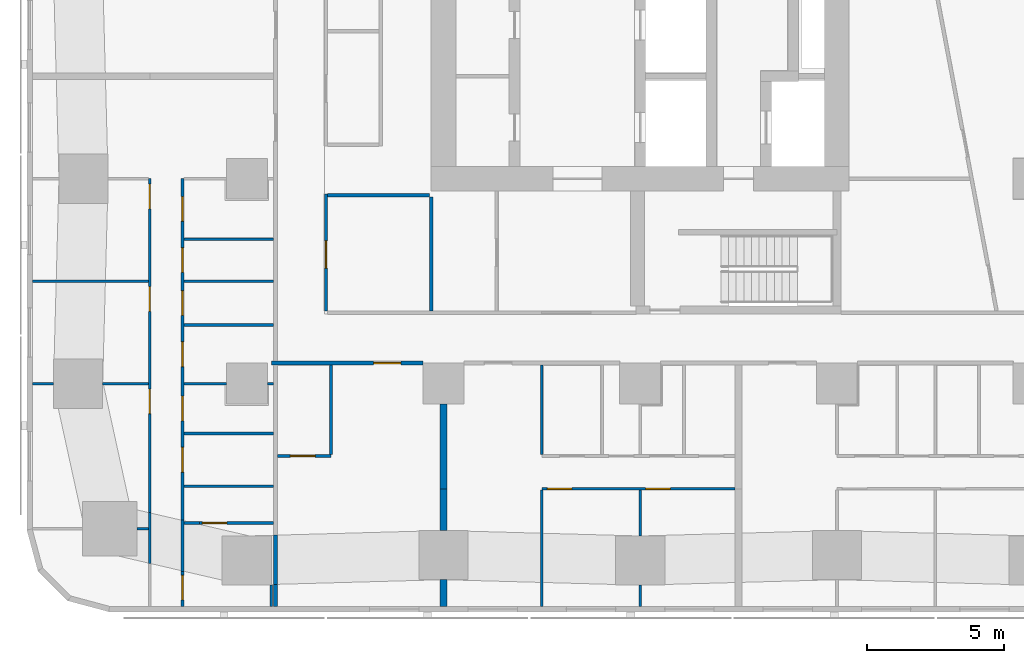
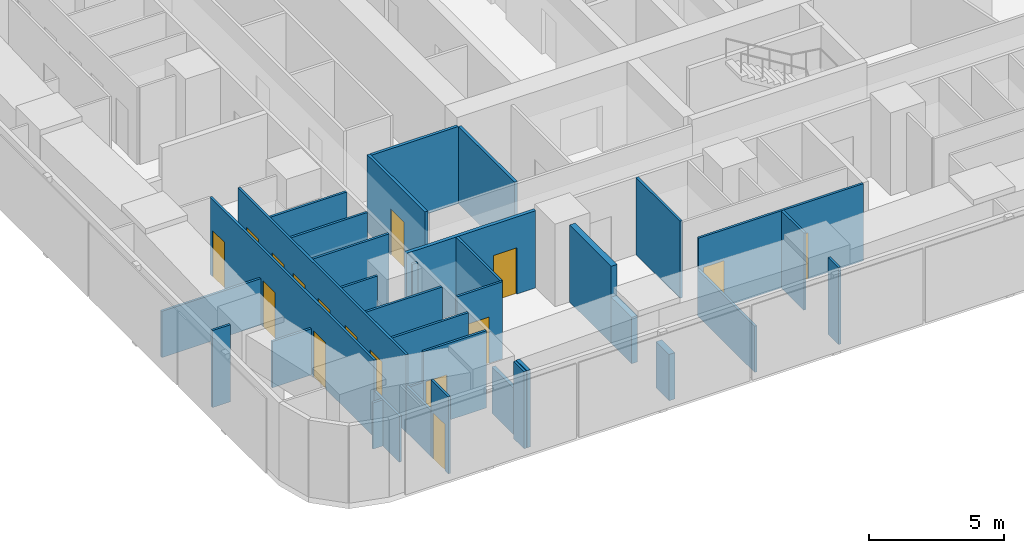
# One storey, part 2 of 15: 35 walls, 16 doors, 16 openings.
"""IFC4 building model written with IfcOpenShell, lengths in metres."""

import ifcopenshell
import ifcopenshell.guid

model = None  # the IFC model being written
_history = None  # IfcOwnerHistory: only IFC2X3 demands one
_inside = {}  # id of a spatial element -> (the spatial element, [elements in it])
_under = {}  # id of a project, library or spatial element -> (it, [spatial elements below it])
_declared = {}  # id of a project -> (the project, [libraries it declares])
_typed = {}  # id of a type object -> (the type object, [elements of that type])
_made_of = {}  # id of a material, layer set ... -> (it, [elements and type objects made of it])


def new_model(schema):
    """Start an empty IFC model of exactly this schema.

    Asked for "IFC4X3", IfcOpenShell would pick the latest addendum, in which some entities
    have other attributes; the version numbers below select the first issue.
    IFC2X3 requires an IfcOwnerHistory on every rooted entity: one is made here for all.
    """
    global model, _history
    if schema == "IFC4X3":
        model = ifcopenshell.file(schema_version=(4, 3, 0, 0))
    else:
        model = ifcopenshell.file(schema=schema)
    _inside.clear()
    _under.clear()
    _declared.clear()
    _typed.clear()
    _made_of.clear()
    _history = None
    if model.schema == "IFC2X3":
        org = make("IfcOrganization", Name="unknown")
        user = make(
            "IfcPersonAndOrganization",
            ThePerson=make("IfcPerson", FamilyName="unknown"),
            TheOrganization=org,
        )
        app = make(
            "IfcApplication",
            ApplicationDeveloper=org,
            Version="unknown",
            ApplicationFullName="unknown",
            ApplicationIdentifier="unknown",
        )
        _history = make(
            "IfcOwnerHistory",
            OwningUser=user,
            OwningApplication=app,
            ChangeAction="ADDED",
            CreationDate=0,
        )
    return model


def make(cls, **values):
    """One entity of the class cls with the attributes given. An attribute that is None is left unset."""
    return model.create_entity(
        cls, **{name: value for name, value in values.items() if value is not None}
    )


def rooted(cls, **values):
    """An entity with a GlobalId (a new one), such as an element, a storey or a relation."""
    return make(cls, GlobalId=ifcopenshell.guid.new(), OwnerHistory=_history, **values)


def si_unit(unit_type, name, prefix=None):
    """IfcSIUnit, for example si_unit("LENGTHUNIT", "METRE", prefix="MILLI")."""
    return make("IfcSIUnit", UnitType=unit_type, Prefix=prefix, Name=name)


def assignment(units):
    """IfcUnitAssignment: the units of a project."""
    return None if units is None else make("IfcUnitAssignment", Units=units)


def point(xyz):
    """IfcCartesianPoint."""
    return None if xyz is None else make("IfcCartesianPoint", Coordinates=xyz)


def direction(xyz):
    """IfcDirection."""
    return None if xyz is None else make("IfcDirection", DirectionRatios=xyz)


def frame(location, z_axis=None, x_axis=None):
    """IfcAxis2Placement3D, a coordinate frame: its origin and axes. An axis left out is left unset."""
    return make(
        "IfcAxis2Placement3D",
        Location=point(location),
        Axis=direction(z_axis),
        RefDirection=direction(x_axis),
    )


def frame_2d(location, x_axis=None):
    """IfcAxis2Placement2D, a coordinate frame in the plane: its origin and x axis."""
    return make(
        "IfcAxis2Placement2D", Location=point(location), RefDirection=direction(x_axis)
    )


def origin():
    """The frame at (0, 0, 0) with its axes left unset."""
    return frame((0.0, 0.0, 0.0))


def place(relative_to, where):
    """IfcLocalPlacement: puts the frame where relative to a parent placement (None: the world)."""
    return make(
        "IfcLocalPlacement", PlacementRelTo=relative_to, RelativePlacement=where
    )


def context(
    kind, dimensions, precision=None, world=None, true_north=None, identifier=None
):
    """IfcGeometricRepresentationContext, for example the 3D "Model" context."""
    return make(
        "IfcGeometricRepresentationContext",
        ContextIdentifier=identifier,
        ContextType=kind,
        CoordinateSpaceDimension=dimensions,
        Precision=precision,
        WorldCoordinateSystem=world,
        TrueNorth=true_north,
    )


def subcontext(parent, identifier, kind, view, scale=None):
    """IfcGeometricRepresentationSubContext, for example "Body" below "Model"."""
    return make(
        "IfcGeometricRepresentationSubContext",
        ContextIdentifier=identifier,
        ContextType=kind,
        ParentContext=parent,
        TargetScale=scale,
        TargetView=view,
    )


def project(units=None, contexts=None):
    """IfcProject with its units and contexts."""
    return rooted(
        "IfcProject",
        Name="project",
        RepresentationContexts=contexts,
        UnitsInContext=assignment(units),
    )


def spatial(cls, under=None, at=None, **own):
    """A site, building, storey or space (cls), placed at a placement, below another one or the project."""
    s = rooted(cls, ObjectPlacement=at, **own)
    if under is not None:
        _under.setdefault(under.id(), (under, []))[1].append(s)
    return s


def profile(cls, at=None, kind="AREA", **sizes):
    """A parametric profile (cls). Its sizes go by their IFC names, for example OverallWidth=200.0."""
    return make(cls, ProfileType=kind, Position=at, **sizes)


def rectangle(**sizes):
    """IfcRectangleProfileDef."""
    return profile("IfcRectangleProfileDef", **sizes)


def extrude(swept, where, along, depth):
    """IfcExtrudedAreaSolid: the profile swept, set in the frame where, extruded along a direction by depth."""
    return make(
        "IfcExtrudedAreaSolid",
        SweptArea=swept,
        Position=where,
        ExtrudedDirection=direction(along),
        Depth=depth,
    )


def shape(context_of_items, identifier, shape_type, items):
    """IfcShapeRepresentation: the items that make up one representation, for example the "Body"."""
    return make(
        "IfcShapeRepresentation",
        ContextOfItems=context_of_items,
        RepresentationIdentifier=identifier,
        RepresentationType=shape_type,
        Items=items,
    )


def material(Name=None, Category=None):
    """IfcMaterial."""
    return make("IfcMaterial", Name=Name, Category=Category)


def layer(
    of_material, thickness, ventilated=None, Name=None, Category=None, Priority=None
):
    """IfcMaterialLayer: one layer of a wall or slab, of a material (None: an air gap)."""
    return make(
        "IfcMaterialLayer",
        Material=of_material,
        LayerThickness=thickness,
        IsVentilated=ventilated,
        Name=Name,
        Category=Category,
        Priority=Priority,
    )


def layer_set(layers, Name=None):
    """IfcMaterialLayerSet."""
    return make("IfcMaterialLayerSet", MaterialLayers=layers, LayerSetName=Name)


def made_of(thing, what):
    """Note that an element or type object is made of a material, layer set ...; save() writes the relation."""
    if what is not None:
        _made_of.setdefault(what.id(), (what, []))[1].append(thing)
    return thing


def type_object(cls, material=None, **own):
    """A type object (cls), such as IfcWallType, which elements share."""
    return made_of(rooted(cls, **own), material)


def element(
    cls,
    number,
    at=None,
    inside=None,
    cuts=None,
    type_object=None,
    material=None,
    context=None,
    identifier="Body",
    shape_type=None,
    held_by="IfcProductDefinitionShape",
    body=None,
    shapes=None,
    **own,
):
    """One element of the class cls, such as IfcWall. Its Tag is "e" and its number.

    at: its placement. inside: the storey or other place that contains it. cuts: it is an
    opening in that element (IfcRelVoidsElement). A single representation is given by context,
    identifier, shape_type and body (its items); several are given by shapes. held_by: the class
    of the entity that holds the representations. save() writes the other relations.
    """
    e = rooted(cls, Tag="e%d" % number, ObjectPlacement=at, **own)
    if body is not None:
        shapes = [shape(context, identifier, shape_type, body)]
    if shapes is not None:
        e.Representation = make(held_by, Representations=shapes)
    if inside is not None:
        _inside.setdefault(inside.id(), (inside, []))[1].append(e)
    if cuts is not None:
        rooted(
            "IfcRelVoidsElement", RelatingBuildingElement=cuts, RelatedOpeningElement=e
        )
    if type_object is not None:
        _typed.setdefault(type_object.id(), (type_object, []))[1].append(e)
    return made_of(e, material)


def fill(opening, filler):
    """IfcRelFillsElement: the door or window that sits in an opening."""
    return rooted(
        "IfcRelFillsElement",
        RelatingOpeningElement=opening,
        RelatedBuildingElement=filler,
    )


def aggregate(whole, parts):
    """IfcRelAggregates: a whole, such as a stair, and the parts it consists of."""
    return rooted("IfcRelAggregates", RelatingObject=whole, RelatedObjects=parts)


def save(model, path):
    """Write the relations noted so far, then the file.

    IfcRelAggregates (storeys below a building ...), IfcRelContainedInSpatialStructure (elements
    in a storey), IfcRelDefinesByType, IfcRelAssociatesMaterial and IfcRelDeclares: one each for
    every whole, place, type object, material and project.
    """
    for whole, parts in _under.values():
        aggregate(whole, parts)
    for where, things in _inside.values():
        rooted(
            "IfcRelContainedInSpatialStructure",
            RelatedElements=things,
            RelatingStructure=where,
        )
    for kind, things in _typed.values():
        rooted("IfcRelDefinesByType", RelatedObjects=things, RelatingType=kind)
    for what, things in _made_of.values():
        rooted("IfcRelAssociatesMaterial", RelatedObjects=things, RelatingMaterial=what)
    for by, libraries in _declared.values():
        rooted("IfcRelDeclares", RelatingContext=by, RelatedDefinitions=libraries)
    model.write(path)


model = new_model("IFC4")

# Units and contexts
model_context = context("Model", 3, precision=1e-05, world=origin(), true_north=direction((0.0, 1.0)))
body_context = subcontext(model_context, "Body", "Model", "MODEL_VIEW")
ifc_project = project(units=[si_unit("LENGTHUNIT", "METRE"), si_unit("AREAUNIT", "SQUARE_METRE"), si_unit("VOLUMEUNIT", "CUBIC_METRE"), si_unit("PLANEANGLEUNIT", "RADIAN"), si_unit("MASSUNIT", "GRAM", prefix="KILO")], contexts=[model_context])

# Site, building, storey
site_placement = place(None, origin())
site = spatial("IfcSite", under=ifc_project, at=site_placement, CompositionType="ELEMENT")
building_placement = place(site_placement, origin())
building = spatial("IfcBuilding", under=site, at=building_placement, Name="Sheger Commons Tower", CompositionType="ELEMENT")
storey_placement = place(building_placement, frame((0.0, 0.0, 154.550048828125)))
storey = spatial("IfcBuildingStorey", under=building, at=storey_placement, Name="L39", CompositionType="ELEMENT", Elevation=154.550048828125)

# Walls
ifc_material_1 = material(Name="Hollow concrete block masonry, skimmed both sides", Category="masonry")
ifc_layer_1 = layer(ifc_material_1, 0.14990234375)
ifc_layer_set_1 = layer_set([ifc_layer_1], Name="CORRIDOR WALL 150")
wall_type_1 = type_object("IfcWallType", Name="CORRIDOR WALL 150", PredefinedType="SOLIDWALL", material=ifc_layer_set_1)
wall_1_placement = place(storey_placement, frame((8.25, -0.64990234375, 0.0), z_axis=(0.0, 0.0, 1.0), x_axis=(0.0, 1.0, 0.0)))
element("IfcWall", 1, at=wall_1_placement, inside=storey, type_object=wall_type_1, Name="Corridor wall L39", PredefinedType="SOLIDWALL", context=body_context, shape_type="SweptSolid", body=[
    extrude(rectangle(XDim=0.802001953125, YDim=0.14990234375, at=frame_2d((0.40087890625, 0.0))), origin(), (0.0, 0.0, 1.0), 3.5),
])
wall_2_placement = place(storey_placement, frame((8.25, 0.152099609375, 0.0), z_axis=(0.0, 0.0, 1.0), x_axis=(0.0, 1.0, 0.0)))
element("IfcWall", 2, at=wall_2_placement, inside=storey, type_object=wall_type_1, Name="Corridor wall L39", PredefinedType="SOLIDWALL", context=body_context, shape_type="SweptSolid", body=[
    extrude(rectangle(XDim=1.804931640625, YDim=0.14990234375, at=frame_2d((0.90234375, 0.0))), origin(), (0.0, 0.0, 1.0), 2.099853515625),
])

# Wall, opening, door
wall_3_placement = place(storey_placement, frame((13.64892578125, 8.25, 0.0), z_axis=(0.0, 0.0, 1.0), x_axis=(-1.0, 0.0, 0.0)))
wall_3 = element("IfcWall", 3, at=wall_3_placement, inside=storey, type_object=wall_type_1, Name="Corridor wall L39", PredefinedType="SOLIDWALL", context=body_context, shape_type="SweptSolid", body=[
    extrude(rectangle(XDim=5.548828125, YDim=0.14990234375, at=frame_2d((2.7744140625, 0.0))), origin(), (0.0, 0.0, 1.0), 3.5),
])
opening_1_placement = place(wall_3_placement, frame((0.81005859375, 0.0, 0.0)))
opening_1 = element("IfcOpeningElement", 4, at=opening_1_placement, cuts=wall_3, Name="Opening D1", PredefinedType="OPENING", context=body_context, shape_type="SweptSolid", body=[
    extrude(rectangle(XDim=1.0, YDim=2.10009765625, at=frame_2d((0.5, 1.050048828125))), frame((0.0, 0.0849609375, 0.0), z_axis=(0.0, -1.0, 0.0), x_axis=(1.0, 0.0, 0.0)), (0.0, 0.0, 1.0), 0.169921875),
])
ifc_material_2 = material(Name="Steel door set, fire rated", Category="steel")
door_type_1 = type_object("IfcDoorType", Name="FLAT ENTRANCE DOOR 1000x2100", OperationType="NOTDEFINED", PredefinedType="DOOR", material=ifc_material_2)
door_1_placement = place(opening_1_placement, origin())
door_1 = element("IfcDoor", 5, at=door_1_placement, inside=storey, type_object=door_type_1, Name="Flat entrance door", OperationType="SINGLE_SWING_LEFT", OverallHeight=2.10009765625, OverallWidth=1.0, PredefinedType="DOOR", context=body_context, shape_type="SweptSolid", body=[
    extrude(rectangle(XDim=1.0, YDim=2.10009765625, at=frame_2d((0.5, 1.050048828125))), frame((0.0, 0.02490234375, 0.0), z_axis=(0.0, -1.0, 0.0), x_axis=(1.0, 0.0, 0.0)), (0.0, 0.0, 1.0), 0.050048828125),
])
fill(opening_1, door_1)

# Walls
ifc_material_3 = material(Name="Dense concrete block masonry, plastered both sides (separating wall between flats)", Category="masonry")
ifc_layer_2 = layer(ifc_material_3, 0.25)
ifc_layer_set_2 = layer_set([ifc_layer_2], Name="DEMISING WALL 250")
wall_type_2 = type_object("IfcWallType", Name="DEMISING WALL 250", PredefinedType="SOLIDWALL", material=ifc_layer_set_2)
wall_4_placement = place(storey_placement, frame((14.39990234375, -0.64990234375, 0.0), z_axis=(0.0, 0.0, 1.0), x_axis=(0.0, 1.0, 0.0)))
element("IfcWall", 6, at=wall_4_placement, inside=storey, type_object=wall_type_2, Name="Demising wall L39", PredefinedType="SOLIDWALL", context=body_context, shape_type="SweptSolid", body=[
    extrude(rectangle(XDim=0.973876953125, YDim=0.25, at=frame_2d((0.48681640625, 0.0))), origin(), (0.0, 0.0, 1.0), 2.099853515625),
])
wall_5_placement = place(storey_placement, frame((14.39990234375, 2.1259765625, 0.0), z_axis=(0.0, 0.0, 1.0), x_axis=(0.0, 1.0, 0.0)))
element("IfcWall", 7, at=wall_5_placement, inside=storey, type_object=wall_type_2, Name="Demising wall L39", PredefinedType="SOLIDWALL", context=body_context, shape_type="SweptSolid", body=[
    extrude(rectangle(XDim=1.52392578125, YDim=0.25, at=frame_2d((0.761962890625, 0.0))), origin(), (0.0, 0.0, 1.0), 2.099853515625),
])
wall_6_placement = place(storey_placement, frame((14.39990234375, 3.64990234375, 0.0), z_axis=(0.0, 0.0, 1.0), x_axis=(0.0, 1.0, 0.0)))
element("IfcWall", 8, at=wall_6_placement, inside=storey, type_object=wall_type_2, Name="Demising wall L39", PredefinedType="SOLIDWALL", context=body_context, shape_type="SweptSolid", body=[
    extrude(rectangle(XDim=3.09912109375, YDim=0.25, at=frame_2d((1.549560546875, 0.0))), origin(), (0.0, 0.0, 1.0), 3.5),
])
ifc_material_4 = material(Name="Gypsum board on steel studs", Category="steel")
ifc_layer_3 = layer(ifc_material_4, 0.10009765625)
ifc_layer_set_3 = layer_set([ifc_layer_3], Name="PARTITION 100")
wall_type_3 = type_object("IfcWallType", Name="PARTITION 100", PredefinedType="PARTITIONING", material=ifc_layer_set_3)
wall_7_placement = place(storey_placement, frame((8.10009765625, 0.1240234375, 0.0), z_axis=(0.0, 0.0, 1.0), x_axis=(0.0, -1.0, 0.0)))
element("IfcWall", 9, at=wall_7_placement, inside=storey, type_object=wall_type_3, Name="Partition L39", PredefinedType="PARTITIONING", context=body_context, shape_type="SweptSolid", body=[
    extrude(rectangle(XDim=0.77392578125, YDim=0.10009765625, at=frame_2d((0.386962890625, 0.0))), origin(), (0.0, 0.0, 1.0), 3.5),
])
wall_8_placement = place(storey_placement, frame((3.64990234375, 0.912109375, 0.0), z_axis=(0.0, 0.0, 1.0), x_axis=(0.0, 1.0, 0.0)))
element("IfcWall", 10, at=wall_8_placement, inside=storey, type_object=wall_type_3, Name="Partition L39", PredefinedType="PARTITIONING", context=body_context, shape_type="SweptSolid", body=[
    extrude(rectangle(XDim=1.869873046875, YDim=0.10009765625, at=frame_2d((0.93505859375, 0.0))), origin(), (0.0, 0.0, 1.0), 2.099853515625),
])

# Wall, openings, doors
wall_9_placement = place(storey_placement, frame((3.64990234375, 2.781982421875, 0.0), z_axis=(0.0, 0.0, 1.0), x_axis=(0.0, 1.0, 0.0)))
wall_9 = element("IfcWall", 11, at=wall_9_placement, inside=storey, type_object=wall_type_3, Name="Partition L39", PredefinedType="PARTITIONING", context=body_context, shape_type="SweptSolid", body=[
    extrude(rectangle(XDim=12.218017578125, YDim=0.10009765625, at=frame_2d((6.10888671875, 0.0))), origin(), (0.0, 0.0, 1.0), 3.5),
])
opening_2_placement = place(wall_9_placement, frame((11.117919921875, 0.0, 0.0)))
opening_2 = element("IfcOpeningElement", 12, at=opening_2_placement, cuts=wall_9, Name="Opening D2", PredefinedType="OPENING", context=body_context, shape_type="SweptSolid", body=[
    extrude(rectangle(XDim=0.89990234375, YDim=2.10009765625, at=frame_2d((0.449951171875, 1.050048828125))), frame((0.0, 0.06005859375, 0.0), z_axis=(0.0, -1.0, 0.0), x_axis=(1.0, 0.0, 0.0)), (0.0, 0.0, 1.0), 0.1201171875),
])
opening_3_placement = place(wall_9_placement, frame((7.367919921875, 0.0, 0.0)))
opening_3 = element("IfcOpeningElement", 13, at=opening_3_placement, cuts=wall_9, Name="Opening D2", PredefinedType="OPENING", context=body_context, shape_type="SweptSolid", body=[
    extrude(rectangle(XDim=0.89990234375, YDim=2.10009765625, at=frame_2d((0.449951171875, 1.050048828125))), frame((0.0, 0.06005859375, 0.0), z_axis=(0.0, -1.0, 0.0), x_axis=(1.0, 0.0, 0.0)), (0.0, 0.0, 1.0), 0.1201171875),
])
opening_4_placement = place(wall_9_placement, frame((3.617919921875, 0.0, 0.0)))
opening_4 = element("IfcOpeningElement", 14, at=opening_4_placement, cuts=wall_9, Name="Opening D2", PredefinedType="OPENING", context=body_context, shape_type="SweptSolid", body=[
    extrude(rectangle(XDim=0.89990234375, YDim=2.10009765625, at=frame_2d((0.449951171875, 1.050048828125))), frame((0.0, 0.06005859375, 0.0), z_axis=(0.0, -1.0, 0.0), x_axis=(1.0, 0.0, 0.0)), (0.0, 0.0, 1.0), 0.1201171875),
])
ifc_material_5 = material(Name="Timber door set", Category="wood")
door_type_2 = type_object("IfcDoorType", Name="INTERNAL DOOR 900x2100", OperationType="NOTDEFINED", PredefinedType="DOOR", material=ifc_material_5)
door_2_placement = place(opening_2_placement, origin())
door_2 = element("IfcDoor", 15, at=door_2_placement, inside=storey, type_object=door_type_2, Name="Main bedroom door", OperationType="SINGLE_SWING_RIGHT", OverallHeight=2.10009765625, OverallWidth=0.89990234375, PredefinedType="DOOR", context=body_context, shape_type="SweptSolid", body=[
    extrude(rectangle(XDim=0.89990234375, YDim=2.10009765625, at=frame_2d((0.449951171875, 1.050048828125))), frame((0.0, 0.02490234375, 0.0), z_axis=(0.0, -1.0, 0.0), x_axis=(1.0, 0.0, 0.0)), (0.0, 0.0, 1.0), 0.050048828125),
])
fill(opening_2, door_2)
door_3_placement = place(opening_3_placement, origin())
door_3 = element("IfcDoor", 16, at=door_3_placement, inside=storey, type_object=door_type_2, Name="Bedroom 2 door", OperationType="SINGLE_SWING_RIGHT", OverallHeight=2.10009765625, OverallWidth=0.89990234375, PredefinedType="DOOR", context=body_context, shape_type="SweptSolid", body=[
    extrude(rectangle(XDim=0.89990234375, YDim=2.10009765625, at=frame_2d((0.449951171875, 1.050048828125))), frame((0.0, 0.02490234375, 0.0), z_axis=(0.0, -1.0, 0.0), x_axis=(1.0, 0.0, 0.0)), (0.0, 0.0, 1.0), 0.050048828125),
])
fill(opening_3, door_3)
door_4_placement = place(opening_4_placement, origin())
door_4 = element("IfcDoor", 17, at=door_4_placement, inside=storey, type_object=door_type_2, Name="Bedroom 3 door", OperationType="SINGLE_SWING_RIGHT", OverallHeight=2.10009765625, OverallWidth=0.89990234375, PredefinedType="DOOR", context=body_context, shape_type="SweptSolid", body=[
    extrude(rectangle(XDim=0.89990234375, YDim=2.10009765625, at=frame_2d((0.449951171875, 1.050048828125))), frame((0.0, 0.02490234375, 0.0), z_axis=(0.0, -1.0, 0.0), x_axis=(1.0, 0.0, 0.0)), (0.0, 0.0, 1.0), 0.050048828125),
])
fill(opening_4, door_4)

# Wall, opening, door
wall_10_placement = place(storey_placement, frame((4.85009765625, -0.64990234375, 0.0), z_axis=(0.0, 0.0, 1.0), x_axis=(0.0, 1.0, 0.0)))
wall_10 = element("IfcWall", 18, at=wall_10_placement, inside=storey, type_object=wall_type_3, Name="Partition L39", PredefinedType="PARTITIONING", context=body_context, shape_type="SweptSolid", body=[
    extrude(rectangle(XDim=1.283935546875, YDim=0.10009765625, at=frame_2d((0.64208984375, 0.0))), origin(), (0.0, 0.0, 1.0), 3.5),
])
opening_5_placement = place(wall_10_placement, frame((0.23388671875, 0.0, 0.0)))
opening_5 = element("IfcOpeningElement", 19, at=opening_5_placement, cuts=wall_10, Name="Opening D2", PredefinedType="OPENING", context=body_context, shape_type="SweptSolid", body=[
    extrude(rectangle(XDim=0.89990234375, YDim=2.10009765625, at=frame_2d((0.449951171875, 1.050048828125))), frame((0.0, 0.06005859375, 0.0), z_axis=(0.0, -1.0, 0.0), x_axis=(1.0, 0.0, 0.0)), (0.0, 0.0, 1.0), 0.1201171875),
])
door_5_placement = place(opening_5_placement, origin())
door_5 = element("IfcDoor", 20, at=door_5_placement, inside=storey, type_object=door_type_2, Name="Store and laundry door", OperationType="SINGLE_SWING_LEFT", OverallHeight=2.10009765625, OverallWidth=0.89990234375, PredefinedType="DOOR", context=body_context, shape_type="SweptSolid", body=[
    extrude(rectangle(XDim=0.89990234375, YDim=2.10009765625, at=frame_2d((0.449951171875, 1.050048828125))), frame((0.0, 0.02490234375, 0.0), z_axis=(0.0, -1.0, 0.0), x_axis=(1.0, 0.0, 0.0)), (0.0, 0.0, 1.0), 0.050048828125),
])
fill(opening_5, door_5)

# Wall
wall_11_placement = place(storey_placement, frame((4.85009765625, 0.634033203125, 0.0), z_axis=(0.0, 0.0, 1.0), x_axis=(0.0, 1.0, 0.0)))
element("IfcWall", 21, at=wall_11_placement, inside=storey, type_object=wall_type_3, Name="Partition L39", PredefinedType="PARTITIONING", context=body_context, shape_type="SweptSolid", body=[
    extrude(rectangle(XDim=1.870849609375, YDim=0.10009765625, at=frame_2d((0.935546875, 0.0))), origin(), (0.0, 0.0, 1.0), 2.099853515625),
])

# Wall, openings, doors
wall_12_placement = place(storey_placement, frame((4.85009765625, 2.5048828125, 0.0), z_axis=(0.0, 0.0, 1.0), x_axis=(0.0, 1.0, 0.0)))
wall_12 = element("IfcWall", 22, at=wall_12_placement, inside=storey, type_object=wall_type_3, Name="Partition L39", PredefinedType="PARTITIONING", context=body_context, shape_type="SweptSolid", body=[
    extrude(rectangle(XDim=12.4951171875, YDim=0.10009765625, at=frame_2d((6.24755859375, 0.0))), origin(), (0.0, 0.0, 1.0), 3.5),
])
opening_6_placement = place(wall_12_placement, frame((10.93994140625, 0.0, 0.0)))
opening_6 = element("IfcOpeningElement", 23, at=opening_6_placement, cuts=wall_12, Name="Opening D2", PredefinedType="OPENING", context=body_context, shape_type="SweptSolid", body=[
    extrude(rectangle(XDim=0.89990234375, YDim=2.10009765625, at=frame_2d((0.449951171875, 1.050048828125))), frame((0.0, 0.06005859375, 0.0), z_axis=(0.0, -1.0, 0.0), x_axis=(1.0, 0.0, 0.0)), (0.0, 0.0, 1.0), 0.1201171875),
])
opening_7_placement = place(wall_12_placement, frame((7.4951171875, 0.0, 0.0)))
opening_7 = element("IfcOpeningElement", 24, at=opening_7_placement, cuts=wall_12, Name="Opening D2", PredefinedType="OPENING", context=body_context, shape_type="SweptSolid", body=[
    extrude(rectangle(XDim=0.89990234375, YDim=2.10009765625, at=frame_2d((0.449951171875, 1.050048828125))), frame((0.0, 0.06005859375, 0.0), z_axis=(0.0, -1.0, 0.0), x_axis=(1.0, 0.0, 0.0)), (0.0, 0.0, 1.0), 0.1201171875),
])
opening_8_placement = place(wall_12_placement, frame((3.635009765625, 0.0, 0.0)))
opening_8 = element("IfcOpeningElement", 25, at=opening_8_placement, cuts=wall_12, Name="Opening D2", PredefinedType="OPENING", context=body_context, shape_type="SweptSolid", body=[
    extrude(rectangle(XDim=0.89990234375, YDim=2.10009765625, at=frame_2d((0.449951171875, 1.050048828125))), frame((0.0, 0.06005859375, 0.0), z_axis=(0.0, -1.0, 0.0), x_axis=(1.0, 0.0, 0.0)), (0.0, 0.0, 1.0), 0.1201171875),
])
opening_9_placement = place(wall_12_placement, frame((9.06494140625, 0.0, 0.0)))
opening_9 = element("IfcOpeningElement", 26, at=opening_9_placement, cuts=wall_12, Name="Opening D2", PredefinedType="OPENING", context=body_context, shape_type="SweptSolid", body=[
    extrude(rectangle(XDim=0.89990234375, YDim=2.10009765625, at=frame_2d((0.449951171875, 1.050048828125))), frame((0.0, 0.06005859375, 0.0), z_axis=(0.0, -1.0, 0.0), x_axis=(1.0, 0.0, 0.0)), (0.0, 0.0, 1.0), 0.1201171875),
])
opening_10_placement = place(wall_12_placement, frame((5.6201171875, 0.0, 0.0)))
opening_10 = element("IfcOpeningElement", 27, at=opening_10_placement, cuts=wall_12, Name="Opening D2", PredefinedType="OPENING", context=body_context, shape_type="SweptSolid", body=[
    extrude(rectangle(XDim=0.89990234375, YDim=2.10009765625, at=frame_2d((0.449951171875, 1.050048828125))), frame((0.0, 0.06005859375, 0.0), z_axis=(0.0, -1.0, 0.0), x_axis=(1.0, 0.0, 0.0)), (0.0, 0.0, 1.0), 0.1201171875),
])
opening_11_placement = place(wall_12_placement, frame((1.760009765625, 0.0, 0.0)))
opening_11 = element("IfcOpeningElement", 28, at=opening_11_placement, cuts=wall_12, Name="Opening D2", PredefinedType="OPENING", context=body_context, shape_type="SweptSolid", body=[
    extrude(rectangle(XDim=0.89990234375, YDim=2.10009765625, at=frame_2d((0.449951171875, 1.050048828125))), frame((0.0, 0.06005859375, 0.0), z_axis=(0.0, -1.0, 0.0), x_axis=(1.0, 0.0, 0.0)), (0.0, 0.0, 1.0), 0.1201171875),
])
door_6_placement = place(opening_6_placement, origin())
door_6 = element("IfcDoor", 29, at=door_6_placement, inside=storey, type_object=door_type_2, Name="Bathroom door", OperationType="SINGLE_SWING_LEFT", OverallHeight=2.10009765625, OverallWidth=0.89990234375, PredefinedType="DOOR", context=body_context, shape_type="SweptSolid", body=[
    extrude(rectangle(XDim=0.89990234375, YDim=2.10009765625, at=frame_2d((0.449951171875, 1.050048828125))), frame((0.0, 0.02490234375, 0.0), z_axis=(0.0, -1.0, 0.0), x_axis=(1.0, 0.0, 0.0)), (0.0, 0.0, 1.0), 0.050048828125),
])
fill(opening_6, door_6)
door_7_placement = place(opening_7_placement, origin())
door_7 = element("IfcDoor", 30, at=door_7_placement, inside=storey, type_object=door_type_2, Name="Shower room door", OperationType="SINGLE_SWING_LEFT", OverallHeight=2.10009765625, OverallWidth=0.89990234375, PredefinedType="DOOR", context=body_context, shape_type="SweptSolid", body=[
    extrude(rectangle(XDim=0.89990234375, YDim=2.10009765625, at=frame_2d((0.449951171875, 1.050048828125))), frame((0.0, 0.02490234375, 0.0), z_axis=(0.0, -1.0, 0.0), x_axis=(1.0, 0.0, 0.0)), (0.0, 0.0, 1.0), 0.050048828125),
])
fill(opening_7, door_7)
door_8_placement = place(opening_8_placement, origin())
door_8 = element("IfcDoor", 31, at=door_8_placement, inside=storey, type_object=door_type_2, Name="Laundry room door", OperationType="SINGLE_SWING_LEFT", OverallHeight=2.10009765625, OverallWidth=0.89990234375, PredefinedType="DOOR", context=body_context, shape_type="SweptSolid", body=[
    extrude(rectangle(XDim=0.89990234375, YDim=2.10009765625, at=frame_2d((0.449951171875, 1.050048828125))), frame((0.0, 0.02490234375, 0.0), z_axis=(0.0, -1.0, 0.0), x_axis=(1.0, 0.0, 0.0)), (0.0, 0.0, 1.0), 0.050048828125),
])
fill(opening_8, door_8)
door_9_placement = place(opening_9_placement, origin())
door_9 = element("IfcDoor", 32, at=door_9_placement, inside=storey, type_object=door_type_2, Name="Store door", OperationType="SINGLE_SWING_RIGHT", OverallHeight=2.10009765625, OverallWidth=0.89990234375, PredefinedType="DOOR", context=body_context, shape_type="SweptSolid", body=[
    extrude(rectangle(XDim=0.89990234375, YDim=2.10009765625, at=frame_2d((0.449951171875, 1.050048828125))), frame((0.0, 0.02490234375, 0.0), z_axis=(0.0, -1.0, 0.0), x_axis=(1.0, 0.0, 0.0)), (0.0, 0.0, 1.0), 0.050048828125),
])
fill(opening_9, door_9)
door_10_placement = place(opening_10_placement, origin())
door_10 = element("IfcDoor", 33, at=door_10_placement, inside=storey, type_object=door_type_2, Name="Store door", OperationType="SINGLE_SWING_RIGHT", OverallHeight=2.10009765625, OverallWidth=0.89990234375, PredefinedType="DOOR", context=body_context, shape_type="SweptSolid", body=[
    extrude(rectangle(XDim=0.89990234375, YDim=2.10009765625, at=frame_2d((0.449951171875, 1.050048828125))), frame((0.0, 0.02490234375, 0.0), z_axis=(0.0, -1.0, 0.0), x_axis=(1.0, 0.0, 0.0)), (0.0, 0.0, 1.0), 0.050048828125),
])
fill(opening_10, door_10)
door_11_placement = place(opening_11_placement, origin())
door_11 = element("IfcDoor", 34, at=door_11_placement, inside=storey, type_object=door_type_2, Name="Store door", OperationType="SINGLE_SWING_RIGHT", OverallHeight=2.10009765625, OverallWidth=0.89990234375, PredefinedType="DOOR", context=body_context, shape_type="SweptSolid", body=[
    extrude(rectangle(XDim=0.89990234375, YDim=2.10009765625, at=frame_2d((0.449951171875, 1.050048828125))), frame((0.0, 0.02490234375, 0.0), z_axis=(0.0, -1.0, 0.0), x_axis=(1.0, 0.0, 0.0)), (0.0, 0.0, 1.0), 0.050048828125),
])
fill(opening_11, door_11)

# Walls
wall_13_placement = place(storey_placement, frame((3.18701171875, 2.18603515625, 0.0), z_axis=(0.0, 0.0, 1.0), x_axis=(1.0, 0.0, 0.0)))
element("IfcWall", 35, at=wall_13_placement, inside=storey, type_object=wall_type_3, Name="Partition L39", PredefinedType="PARTITIONING", context=body_context, shape_type="SweptSolid", body=[
    extrude(rectangle(XDim=0.4130859375, YDim=0.10009765625, at=frame_2d((0.20654296875, 0.0))), origin(), (0.0, 0.0, 1.0), 2.099853515625),
])
wall_14_placement = place(storey_placement, frame((-0.64990234375, 7.5, 0.0), z_axis=(0.0, 0.0, 1.0), x_axis=(1.0, 0.0, 0.0)))
element("IfcWall", 36, at=wall_14_placement, inside=storey, type_object=wall_type_3, Name="Partition L39", PredefinedType="PARTITIONING", context=body_context, shape_type="SweptSolid", body=[
    extrude(rectangle(XDim=0.77392578125, YDim=0.10009765625, at=frame_2d((0.386962890625, 0.0))), origin(), (0.0, 0.0, 1.0), 3.5),
])
wall_15_placement = place(storey_placement, frame((1.926025390625, 7.5, 0.0), z_axis=(0.0, 0.0, 1.0), x_axis=(1.0, 0.0, 0.0)))
element("IfcWall", 37, at=wall_15_placement, inside=storey, type_object=wall_type_3, Name="Partition L39", PredefinedType="PARTITIONING", context=body_context, shape_type="SweptSolid", body=[
    extrude(rectangle(XDim=1.674072265625, YDim=0.10009765625, at=frame_2d((0.8369140625, 0.0))), origin(), (0.0, 0.0, 1.0), 2.099853515625),
])
wall_16_placement = place(storey_placement, frame((-0.64990234375, 11.25, 0.0), z_axis=(0.0, 0.0, 1.0), x_axis=(1.0, 0.0, 0.0)))
element("IfcWall", 38, at=wall_16_placement, inside=storey, type_object=wall_type_3, Name="Partition L39", PredefinedType="PARTITIONING", context=body_context, shape_type="SweptSolid", body=[
    extrude(rectangle(XDim=4.25, YDim=0.10009765625, at=frame_2d((2.125, 0.0))), origin(), (0.0, 0.0, 1.0), 2.099853515625),
])
wall_17_placement = place(storey_placement, frame((4.89990234375, 3.75, 0.0), z_axis=(0.0, 0.0, 1.0), x_axis=(1.0, 0.0, 0.0)))
element("IfcWall", 39, at=wall_17_placement, inside=storey, type_object=wall_type_3, Name="Partition L39", PredefinedType="PARTITIONING", context=body_context, shape_type="SweptSolid", body=[
    extrude(rectangle(XDim=3.275146484375, YDim=0.10009765625, at=frame_2d((1.6376953125, 0.0))), origin(), (0.0, 0.0, 1.0), 3.5),
])
wall_18_placement = place(storey_placement, frame((4.89990234375, 7.5, 0.0), z_axis=(0.0, 0.0, 1.0), x_axis=(1.0, 0.0, 0.0)))
element("IfcWall", 40, at=wall_18_placement, inside=storey, type_object=wall_type_3, Name="Partition L39", PredefinedType="PARTITIONING", context=body_context, shape_type="SweptSolid", body=[
    extrude(rectangle(XDim=1.549072265625, YDim=0.10009765625, at=frame_2d((0.7744140625, 0.0))), origin(), (0.0, 0.0, 1.0), 3.5),
])
wall_19_placement = place(storey_placement, frame((7.950927734375, 7.5, 0.0), z_axis=(0.0, 0.0, 1.0), x_axis=(1.0, 0.0, 0.0)))
element("IfcWall", 41, at=wall_19_placement, inside=storey, type_object=wall_type_3, Name="Partition L39", PredefinedType="PARTITIONING", context=body_context, shape_type="SweptSolid", body=[
    extrude(rectangle(XDim=0.22412109375, YDim=0.10009765625, at=frame_2d((0.112060546875, 0.0))), origin(), (0.0, 0.0, 1.0), 3.5),
])
for number, where, z_axis, x_axis, name in (
    (42, (4.89990234375, 11.25, 0.0), (0.0, 0.0, 1.0), (1.0, 0.0, 0.0), "Partition L39"),
    (43, (4.89990234375, 12.7900390625, 0.0), (0.0, 0.0, 1.0), (1.0, 0.0, 0.0), "Partition L39"),
    (44, (4.89990234375, 9.64990234375, 0.0), (0.0, 0.0, 1.0), (1.0, 0.0, 0.0), "Partition L39"),
    (45, (4.89990234375, 5.679931640625, 0.0), (0.0, 0.0, 1.0), (1.0, 0.0, 0.0), "Partition L39"),
):
    element("IfcWall", number, at=place(storey_placement, frame(where, z_axis=z_axis, x_axis=x_axis)), inside=storey, type_object=wall_type_3, Name=name, PredefinedType="PARTITIONING", context=body_context, shape_type="SweptSolid", body=[
        extrude(rectangle(XDim=3.275146484375, YDim=0.10009765625, at=frame_2d((1.6376953125, 0.0))), origin(), (0.0, 0.0, 1.0), 3.5),
    ])

# Wall, opening, door
wall_20_placement = place(storey_placement, frame((10.279052734375, 4.85009765625, 0.0), z_axis=(0.0, 0.0, 1.0), x_axis=(-1.0, 0.0, 0.0)))
wall_20 = element("IfcWall", 46, at=wall_20_placement, inside=storey, type_object=wall_type_3, Name="Partition L39", PredefinedType="PARTITIONING", context=body_context, shape_type="SweptSolid", body=[
    extrude(rectangle(XDim=1.9541015625, YDim=0.10009765625, at=frame_2d((0.97705078125, 0.0))), origin(), (0.0, 0.0, 1.0), 3.5),
])
opening_12_placement = place(wall_20_placement, frame((0.5791015625, 0.0, 0.0)))
opening_12 = element("IfcOpeningElement", 47, at=opening_12_placement, cuts=wall_20, Name="Opening D2", PredefinedType="OPENING", context=body_context, shape_type="SweptSolid", body=[
    extrude(rectangle(XDim=0.89990234375, YDim=2.10009765625, at=frame_2d((0.449951171875, 1.050048828125))), frame((0.0, 0.06005859375, 0.0), z_axis=(0.0, -1.0, 0.0), x_axis=(1.0, 0.0, 0.0)), (0.0, 0.0, 1.0), 0.1201171875),
])
door_12_placement = place(opening_12_placement, origin())
door_12 = element("IfcDoor", 48, at=door_12_placement, inside=storey, type_object=door_type_2, Name="Shower room door", OperationType="SINGLE_SWING_LEFT", OverallHeight=2.10009765625, OverallWidth=0.89990234375, PredefinedType="DOOR", context=body_context, shape_type="SweptSolid", body=[
    extrude(rectangle(XDim=0.89990234375, YDim=2.10009765625, at=frame_2d((0.449951171875, 1.050048828125))), frame((0.0, 0.02490234375, 0.0), z_axis=(0.0, -1.0, 0.0), x_axis=(1.0, 0.0, 0.0)), (0.0, 0.0, 1.0), 0.050048828125),
])
fill(opening_12, door_12)

# Wall
wall_21_placement = place(storey_placement, frame((10.279052734375, 4.89990234375, 0.0), z_axis=(0.0, 0.0, 1.0), x_axis=(0.0, 1.0, 0.0)))
element("IfcWall", 49, at=wall_21_placement, inside=storey, type_object=wall_type_3, Name="Partition L39", PredefinedType="PARTITIONING", context=body_context, shape_type="SweptSolid", body=[
    extrude(rectangle(XDim=3.275146484375, YDim=0.10009765625, at=frame_2d((1.6376953125, 0.0))), origin(), (0.0, 0.0, 1.0), 3.5),
])

# Wall, openings, doors
wall_22_placement = place(storey_placement, frame((25.074951171875, 3.64990234375, 0.0), z_axis=(0.0, 0.0, 1.0), x_axis=(-1.0, 0.0, 0.0)))
wall_22 = element("IfcWall", 50, at=wall_22_placement, inside=storey, type_object=wall_type_3, Name="Partition L39", PredefinedType="PARTITIONING", context=body_context, shape_type="SweptSolid", body=[
    extrude(rectangle(XDim=7.074951171875, YDim=0.10009765625, at=frame_2d((3.53759765625, 0.0))), origin(), (0.0, 0.0, 1.0), 3.5),
])
opening_13_placement = place(wall_22_placement, frame((5.97509765625, 0.0, 0.0)))
opening_13 = element("IfcOpeningElement", 51, at=opening_13_placement, cuts=wall_22, Name="Opening D2", PredefinedType="OPENING", context=body_context, shape_type="SweptSolid", body=[
    extrude(rectangle(XDim=0.89990234375, YDim=2.10009765625, at=frame_2d((0.449951171875, 1.050048828125))), frame((0.0, 0.06005859375, 0.0), z_axis=(0.0, -1.0, 0.0), x_axis=(1.0, 0.0, 0.0)), (0.0, 0.0, 1.0), 0.1201171875),
])
opening_14_placement = place(wall_22_placement, frame((2.375, 0.0, 0.0)))
opening_14 = element("IfcOpeningElement", 52, at=opening_14_placement, cuts=wall_22, Name="Opening D2", PredefinedType="OPENING", context=body_context, shape_type="SweptSolid", body=[
    extrude(rectangle(XDim=0.89990234375, YDim=2.10009765625, at=frame_2d((0.449951171875, 1.050048828125))), frame((0.0, 0.06005859375, 0.0), z_axis=(0.0, -1.0, 0.0), x_axis=(1.0, 0.0, 0.0)), (0.0, 0.0, 1.0), 0.1201171875),
])
door_13_placement = place(opening_13_placement, origin())
door_13 = element("IfcDoor", 53, at=door_13_placement, inside=storey, type_object=door_type_2, Name="Main bedroom door", OperationType="SINGLE_SWING_RIGHT", OverallHeight=2.10009765625, OverallWidth=0.89990234375, PredefinedType="DOOR", context=body_context, shape_type="SweptSolid", body=[
    extrude(rectangle(XDim=0.89990234375, YDim=2.10009765625, at=frame_2d((0.449951171875, 1.050048828125))), frame((0.0, 0.02490234375, 0.0), z_axis=(0.0, -1.0, 0.0), x_axis=(1.0, 0.0, 0.0)), (0.0, 0.0, 1.0), 0.050048828125),
])
fill(opening_13, door_13)
door_14_placement = place(opening_14_placement, origin())
door_14 = element("IfcDoor", 54, at=door_14_placement, inside=storey, type_object=door_type_2, Name="Bedroom 2 door", OperationType="SINGLE_SWING_RIGHT", OverallHeight=2.10009765625, OverallWidth=0.89990234375, PredefinedType="DOOR", context=body_context, shape_type="SweptSolid", body=[
    extrude(rectangle(XDim=0.89990234375, YDim=2.10009765625, at=frame_2d((0.449951171875, 1.050048828125))), frame((0.0, 0.02490234375, 0.0), z_axis=(0.0, -1.0, 0.0), x_axis=(1.0, 0.0, 0.0)), (0.0, 0.0, 1.0), 0.050048828125),
])
fill(opening_14, door_14)

# Walls
wall_23_placement = place(storey_placement, frame((18.0, -0.64990234375, 0.0), z_axis=(0.0, 0.0, 1.0), x_axis=(0.0, 1.0, 0.0)))
element("IfcWall", 55, at=wall_23_placement, inside=storey, type_object=wall_type_3, Name="Partition L39", PredefinedType="PARTITIONING", context=body_context, shape_type="SweptSolid", body=[
    extrude(rectangle(XDim=4.25, YDim=0.10009765625, at=frame_2d((2.125, 0.0))), origin(), (0.0, 0.0, 1.0), 2.099853515625),
])
wall_24_placement = place(storey_placement, frame((21.60009765625, -0.64990234375, 0.0), z_axis=(0.0, 0.0, 1.0), x_axis=(0.0, 1.0, 0.0)))
element("IfcWall", 56, at=wall_24_placement, inside=storey, type_object=wall_type_3, Name="Partition L39", PredefinedType="PARTITIONING", context=body_context, shape_type="SweptSolid", body=[
    extrude(rectangle(XDim=0.77392578125, YDim=0.10009765625, at=frame_2d((0.386962890625, 0.0))), origin(), (0.0, 0.0, 1.0), 3.5),
])
wall_25_placement = place(storey_placement, frame((21.60009765625, 1.926025390625, 0.0), z_axis=(0.0, 0.0, 1.0), x_axis=(0.0, 1.0, 0.0)))
element("IfcWall", 57, at=wall_25_placement, inside=storey, type_object=wall_type_3, Name="Partition L39", PredefinedType="PARTITIONING", context=body_context, shape_type="SweptSolid", body=[
    extrude(rectangle(XDim=1.674072265625, YDim=0.10009765625, at=frame_2d((0.8369140625, 0.0))), origin(), (0.0, 0.0, 1.0), 3.5),
])
wall_26_placement = place(storey_placement, frame((18.0, 4.89990234375, 0.0), z_axis=(0.0, 0.0, 1.0), x_axis=(0.0, 1.0, 0.0)))
element("IfcWall", 58, at=wall_26_placement, inside=storey, type_object=wall_type_3, Name="Partition L39", PredefinedType="PARTITIONING", context=body_context, shape_type="SweptSolid", body=[
    extrude(rectangle(XDim=3.275146484375, YDim=0.10009765625, at=frame_2d((1.6376953125, 0.0))), origin(), (0.0, 0.0, 1.0), 3.5),
])

# Wall, opening, door
wall_27_placement = place(storey_placement, frame((5.467041015625, 2.39990234375, 0.0), z_axis=(0.0, 0.0, 1.0), x_axis=(1.0, 0.0, 0.0)))
wall_27 = element("IfcWall", 59, at=wall_27_placement, inside=storey, type_object=wall_type_3, Name="Partition L39", PredefinedType="PARTITIONING", context=body_context, shape_type="SweptSolid", body=[
    extrude(rectangle(XDim=2.7080078125, YDim=0.10009765625, at=frame_2d((1.35400390625, 0.0))), origin(), (0.0, 0.0, 1.0), 3.5),
])
opening_15_placement = place(wall_27_placement, frame((0.10791015625, 0.0, 0.0)))
opening_15 = element("IfcOpeningElement", 60, at=opening_15_placement, cuts=wall_27, Name="Opening D2", PredefinedType="OPENING", context=body_context, shape_type="SweptSolid", body=[
    extrude(rectangle(XDim=0.89990234375, YDim=2.10009765625, at=frame_2d((0.449951171875, 1.050048828125))), frame((0.0, 0.06005859375, 0.0), z_axis=(0.0, -1.0, 0.0), x_axis=(1.0, 0.0, 0.0)), (0.0, 0.0, 1.0), 0.1201171875),
])
door_15_placement = place(opening_15_placement, origin())
door_15 = element("IfcDoor", 61, at=door_15_placement, inside=storey, type_object=door_type_2, Name="Store door", OperationType="SINGLE_SWING_LEFT", OverallHeight=2.10009765625, OverallWidth=0.89990234375, PredefinedType="DOOR", context=body_context, shape_type="SweptSolid", body=[
    extrude(rectangle(XDim=0.89990234375, YDim=2.10009765625, at=frame_2d((0.449951171875, 1.050048828125))), frame((0.0, 0.02490234375, 0.0), z_axis=(0.0, -1.0, 0.0), x_axis=(1.0, 0.0, 0.0)), (0.0, 0.0, 1.0), 0.050048828125),
])
fill(opening_15, door_15)

# Wall
wall_28_placement = place(storey_placement, frame((5.467041015625, 2.39990234375, 0.0), z_axis=(0.0, 0.0, 1.0), x_axis=(-1.0, 0.0, 0.0)))
element("IfcWall", 62, at=wall_28_placement, inside=storey, type_object=wall_type_3, Name="Partition L39", PredefinedType="PARTITIONING", context=body_context, shape_type="SweptSolid", body=[
    extrude(rectangle(XDim=0.567138671875, YDim=0.10009765625, at=frame_2d((0.28369140625, 0.0))), origin(), (0.0, 0.0, 1.0), 2.099853515625),
])

# Wall, opening, door
ifc_material_6 = material(Name="Gypsum board on steel studs, two layers each side, fire rated", Category="steel")
ifc_layer_4 = layer(ifc_material_6, 0.125)
ifc_layer_set_4 = layer_set([ifc_layer_4], Name="SERVICE WALL 125")
wall_type_4 = type_object("IfcWallType", Name="SERVICE WALL 125", PredefinedType="PARTITIONING", material=ifc_layer_set_4)
wall_29_placement = place(storey_placement, frame((10.10009765625, 10.162109375, 0.0), z_axis=(0.0, 0.0, 1.0), x_axis=(0.0, 1.0, 0.0)))
wall_29 = element("IfcWall", 63, at=wall_29_placement, inside=storey, type_object=wall_type_4, Name="Service room wall L39", PredefinedType="PARTITIONING", context=body_context, shape_type="SweptSolid", body=[
    extrude(rectangle(XDim=4.287841796875, YDim=0.125, at=frame_2d((2.14404296875, 0.0))), origin(), (0.0, 0.0, 1.0), 3.5),
])
opening_16_placement = place(wall_29_placement, frame((1.56298828125, 0.0, 0.0)))
opening_16 = element("IfcOpeningElement", 64, at=opening_16_placement, cuts=wall_29, Name="Opening D4", PredefinedType="OPENING", context=body_context, shape_type="SweptSolid", body=[
    extrude(rectangle(XDim=1.0, YDim=2.10009765625, at=frame_2d((0.5, 1.050048828125))), frame((0.0, 0.072509765625, 0.0), z_axis=(0.0, -1.0, 0.0), x_axis=(1.0, 0.0, 0.0)), (0.0, 0.0, 1.0), 0.14501953125),
])
ifc_material_7 = material(Name="Steel door set, fire rated", Category="steel")
door_type_3 = type_object("IfcDoorType", Name="SERVICE DOOR 1000x2100", OperationType="NOTDEFINED", PredefinedType="DOOR", material=ifc_material_7)
door_16_placement = place(opening_16_placement, origin())
door_16 = element("IfcDoor", 65, at=door_16_placement, inside=storey, type_object=door_type_3, Name="Refuse chute room door", OperationType="SINGLE_SWING_RIGHT", OverallHeight=2.10009765625, OverallWidth=1.0, PredefinedType="DOOR", context=body_context, shape_type="SweptSolid", body=[
    extrude(rectangle(XDim=1.0, YDim=2.10009765625, at=frame_2d((0.5, 1.050048828125))), frame((0.0, 0.02490234375, 0.0), z_axis=(0.0, -1.0, 0.0), x_axis=(1.0, 0.0, 0.0)), (0.0, 0.0, 1.0), 0.050048828125),
])
fill(opening_16, door_16)

# Walls
wall_30_placement = place(storey_placement, frame((10.162109375, 14.39990234375, 0.0), z_axis=(0.0, 0.0, 1.0), x_axis=(1.0, 0.0, 0.0)))
element("IfcWall", 66, at=wall_30_placement, inside=storey, type_object=wall_type_4, Name="Service room wall L39", PredefinedType="PARTITIONING", context=body_context, shape_type="SweptSolid", body=[
    extrude(rectangle(XDim=3.725830078125, YDim=0.125, at=frame_2d((1.86279296875, 0.0))), origin(), (0.0, 0.0, 1.0), 3.5),
])
wall_31_placement = place(storey_placement, frame((13.949951171875, 10.1630859375, 0.0), z_axis=(0.0, 0.0, 1.0), x_axis=(0.0, 1.0, 0.0)))
element("IfcWall", 67, at=wall_31_placement, inside=storey, type_object=wall_type_4, Name="Service room wall L39", PredefinedType="PARTITIONING", context=body_context, shape_type="SweptSolid", body=[
    extrude(rectangle(XDim=4.1748046875, YDim=0.125, at=frame_2d((2.08740234375, 0.0))), origin(), (0.0, 0.0, 1.0), 3.5),
])

save(model, "model.ifc")
